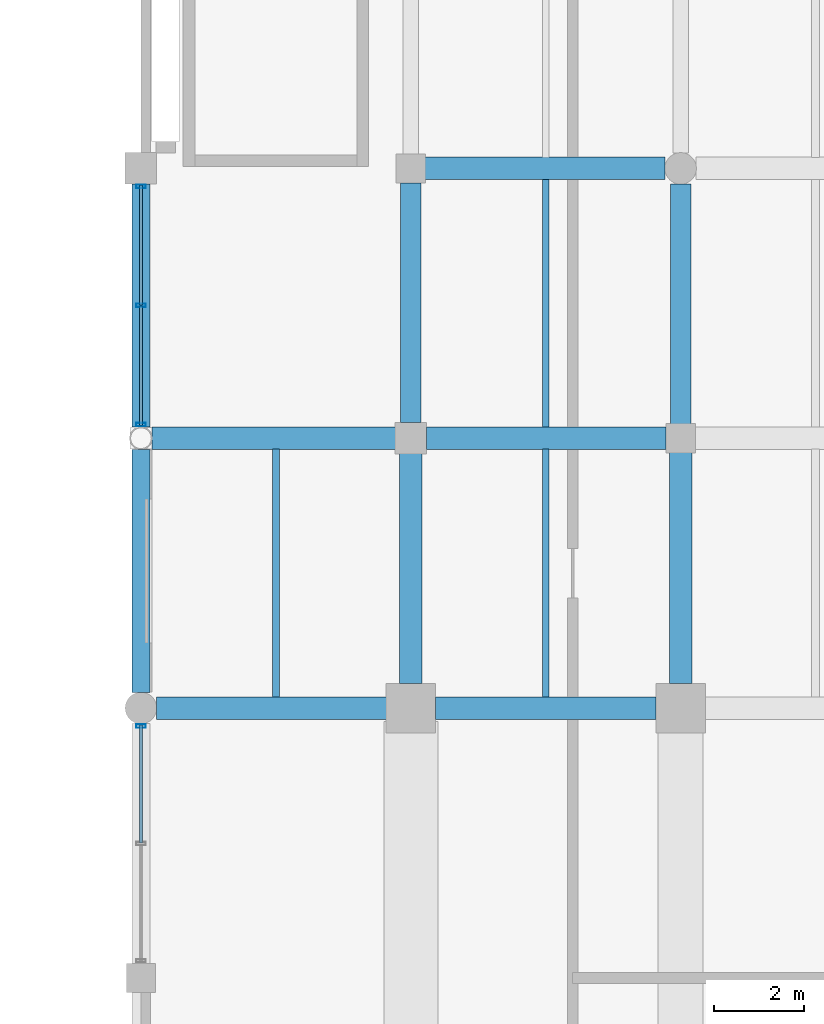
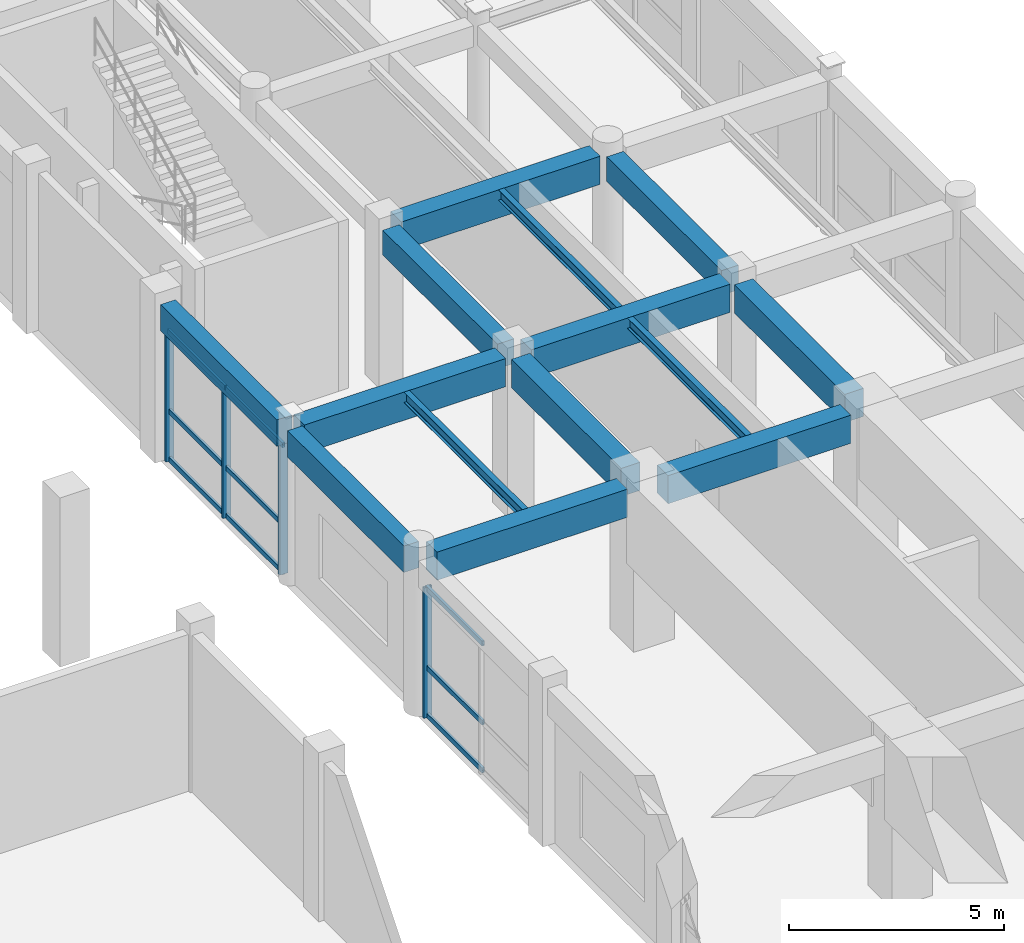
# One storey, part 73 of 123: 14 beams, 13 members, 2 elements without a shape of their own.
"""IFC4 building model written with IfcOpenShell, lengths in metres."""

from ifc_helpers import new_model, si_unit, direction, frame, origin, origin_2d, place, context, subcontext, project, spatial, rectangle, hollow_rectangle, i_section, extrude, material, material_profile, profile_set, type_object, element, aggregate, save


model = new_model("IFC4")

# Units and contexts
model_context = context("Model", 3, precision=1e-05, world=origin(), true_north=direction((0.0, 1.0)))
body_context = subcontext(model_context, "Body", "Model", "MODEL_VIEW")
ifc_project = project(units=[si_unit("LENGTHUNIT", "METRE"), si_unit("AREAUNIT", "SQUARE_METRE"), si_unit("VOLUMEUNIT", "CUBIC_METRE"), si_unit("PLANEANGLEUNIT", "RADIAN"), si_unit("MASSUNIT", "GRAM", prefix="KILO"), si_unit("THERMODYNAMICTEMPERATUREUNIT", "KELVIN"), si_unit("POWERUNIT", "WATT")], contexts=[model_context])

# Site, building, storey
site_placement = place(None, origin())
site = spatial("IfcSite", under=ifc_project, at=site_placement, CompositionType="ELEMENT")
building_placement = place(site_placement, origin())
building = spatial("IfcBuilding", under=site, at=building_placement, Name="Phaisarnlok Congress Hotel", CompositionType="ELEMENT")
storey_placement = place(building_placement, frame((0.0, 0.0, 15.0)))
storey = spatial("IfcBuildingStorey", under=building, at=storey_placement, Name="L03", CompositionType="ELEMENT", Elevation=15.0)

# Beams
ifc_material_1 = material(Name="Concrete C40/50", Category="concrete")
ifc_material_profile_1 = material_profile(ifc_material_1, rectangle(XDim=0.449951171875, YDim=0.699951171875, at=origin_2d()), Name="RC 450x700")
ifc_profile_set_1 = profile_set([ifc_material_profile_1], Name="Concrete C40/50")
beam_type_1 = type_object("IfcBeamType", Name="BM-RC-450x700", PredefinedType="BEAM", material=ifc_profile_set_1)
for number, where, z_axis, x_axis, name in (
    (1, (168.0, 72.344970703125, 4.10009765625), (0.0, 1.0, 0.0), (-1.0, 0.0, 0.0), "Beam B-03"),
    (2, (174.0, 72.320068359375, 4.10009765625), (0.0, 1.0, 0.0), (-1.0, 0.0, 0.0), "Beam B-03"),
):
    element("IfcBeam", number, at=place(storey_placement, frame(where, z_axis=z_axis, x_axis=x_axis)), inside=storey, type_object=beam_type_1, Name=name, PredefinedType="BEAM", context=body_context, shape_type="SweptSolid", body=[
        extrude(rectangle(XDim=0.449951171875, YDim=0.699951171875, at=origin_2d()), origin(), (0.0, 0.0, 1.0), 5.3349609375),
    ])
ifc_material_profile_2 = material_profile(ifc_material_1, rectangle(XDim=0.5, YDim=0.800048828125, at=origin_2d()), Name="RC 500x800")
ifc_profile_set_2 = profile_set([ifc_material_profile_2], Name="Concrete C40/50")
beam_type_2 = type_object("IfcBeamType", Name="BM-RC-500x800", PredefinedType="BEAM", material=ifc_profile_set_2)
beam_1_placement = place(storey_placement, frame((162.344970703125, 66.0, 4.050048828125), z_axis=(1.0, 0.0, 0.0), x_axis=(0.0, 1.0, 0.0)))
element("IfcBeam", 3, at=beam_1_placement, inside=storey, type_object=beam_type_2, Name="Beam B-04", PredefinedType="BEAM", context=body_context, shape_type="SweptSolid", body=[
    extrude(rectangle(XDim=0.5, YDim=0.800048828125, at=origin_2d()), origin(), (0.0, 0.0, 1.0), 5.110107421875),
])
beam_2_placement = place(storey_placement, frame((162.2490234375, 72.0, 4.050048828125), z_axis=(1.0, 0.0, 0.0), x_axis=(0.0, 1.0, 0.0)))
element("IfcBeam", 4, at=beam_2_placement, inside=storey, type_object=beam_type_2, Name="Beam B-04", PredefinedType="BEAM", context=body_context, shape_type="SweptSolid", body=[
    extrude(rectangle(XDim=0.5, YDim=0.800048828125, at=origin_2d()), origin(), (0.0, 0.0, 1.0), 5.406005859375),
])
beam_3_placement = place(storey_placement, frame((168.544921875, 66.0, 4.050048828125), z_axis=(1.0, 0.0, 0.0), x_axis=(0.0, 1.0, 0.0)))
element("IfcBeam", 5, at=beam_3_placement, inside=storey, type_object=beam_type_2, Name="Beam B-04", PredefinedType="BEAM", context=body_context, shape_type="SweptSolid", body=[
    extrude(rectangle(XDim=0.5, YDim=0.800048828125, at=origin_2d()), origin(), (0.0, 0.0, 1.0), 4.91015625),
])
beam_4_placement = place(storey_placement, frame((168.0, 66.544921875, 4.050048828125), z_axis=(0.0, 1.0, 0.0), x_axis=(-1.0, 0.0, 0.0)))
element("IfcBeam", 6, at=beam_4_placement, inside=storey, type_object=beam_type_2, Name="Beam B-04", PredefinedType="BEAM", context=body_context, shape_type="SweptSolid", body=[
    extrude(rectangle(XDim=0.5, YDim=0.800048828125, at=origin_2d()), origin(), (0.0, 0.0, 1.0), 5.110107421875),
])
for number, where, z_axis, x_axis, name in (
    (7, (168.344970703125, 72.0, 4.050048828125), (1.0, 0.0, 0.0), (0.0, 1.0, 0.0), "Beam B-04"),
    (8, (168.320068359375, 78.0, 4.050048828125), (1.0, 0.0, 0.0), (0.0, 1.0, 0.0), "Beam B-04"),
):
    element("IfcBeam", number, at=place(storey_placement, frame(where, z_axis=z_axis, x_axis=x_axis)), inside=storey, type_object=beam_type_2, Name=name, PredefinedType="BEAM", context=body_context, shape_type="SweptSolid", body=[
        extrude(rectangle(XDim=0.5, YDim=0.800048828125, at=origin_2d()), origin(), (0.0, 0.0, 1.0), 5.3349609375),
    ])
beam_5_placement = place(storey_placement, frame((174.0, 66.544921875, 4.050048828125), z_axis=(0.0, 1.0, 0.0), x_axis=(-1.0, 0.0, 0.0)))
element("IfcBeam", 9, at=beam_5_placement, inside=storey, type_object=beam_type_2, Name="Beam B-04", PredefinedType="BEAM", context=body_context, shape_type="SweptSolid", body=[
    extrude(rectangle(XDim=0.5, YDim=0.800048828125, at=origin_2d()), origin(), (0.0, 0.0, 1.0), 5.135009765625),
])

# Curtain wall, members
ifc_material_2 = material(Name="Thermally Broken Unitised Aluminium & Low-E Glazing", Category="aluminium")
curtain_wall_type_1 = type_object("IfcCurtainWallType", Name="CW-UNIT-31", PredefinedType="NOTDEFINED", material=ifc_material_2)
curtain_wall_1_placement = place(storey_placement, origin())
curtain_wall_1 = element("IfcCurtainWall", 10, at=curtain_wall_1_placement, inside=storey, type_object=curtain_wall_type_1, Name="Unitised curtain wall CW-31 (L03)", PredefinedType="NOTDEFINED")
ifc_material_3 = material(Name="Anodised Aluminium Alloy 6063-T6", Category="aluminium")
ifc_material_profile_3 = material_profile(ifc_material_3, hollow_rectangle(XDim=0.074951171875, YDim=0.219970703125, WallThickness=0.0048828125, at=origin_2d()), Name="ALU-M 75x220x5")
ifc_profile_set_3 = profile_set([ifc_material_profile_3], Name="Anodised Aluminium Alloy 6063-T6")
member_type_1 = type_object("IfcMemberType", Name="CWM-220", PredefinedType="MULLION", material=ifc_profile_set_3)
member_1_placement = place(storey_placement, frame((162.0, 77.60009765625, 0.0), z_axis=(0.0, 0.0, 1.0), x_axis=(0.0, -1.0, 0.0)))
member_1 = element("IfcMember", 11, at=member_1_placement, type_object=member_type_1, Name="Curtain wall mullion CWM-02", PredefinedType="MULLION", context=body_context, shape_type="SweptSolid", body=[
    extrude(hollow_rectangle(XDim=0.074951171875, YDim=0.219970703125, WallThickness=0.0048828125, at=origin_2d()), origin(), (0.0, 0.0, 1.0), 3.699951171875),
])
member_2_placement = place(storey_placement, frame((162.0, 74.951904296875, 0.0), z_axis=(0.0, 0.0, 1.0), x_axis=(0.0, -1.0, 0.0)))
member_2 = element("IfcMember", 12, at=member_2_placement, type_object=member_type_1, Name="Curtain wall mullion CWM-02", PredefinedType="MULLION", context=body_context, shape_type="SweptSolid", body=[
    extrude(hollow_rectangle(XDim=0.074951171875, YDim=0.219970703125, WallThickness=0.0048828125, at=origin_2d()), origin(), (0.0, 0.0, 1.0), 3.699951171875),
])
member_3_placement = place(storey_placement, frame((162.0, 72.303955078125, 0.0), z_axis=(0.0, 0.0, 1.0), x_axis=(0.0, -1.0, 0.0)))
member_3 = element("IfcMember", 13, at=member_3_placement, type_object=member_type_1, Name="Curtain wall mullion CWM-02", PredefinedType="MULLION", context=body_context, shape_type="SweptSolid", body=[
    extrude(hollow_rectangle(XDim=0.074951171875, YDim=0.219970703125, WallThickness=0.0048828125, at=origin_2d()), origin(), (0.0, 0.0, 1.0), 3.699951171875),
])

# Curtain wall, member
curtain_wall_type_2 = type_object("IfcCurtainWallType", Name="CW-UNIT-30", PredefinedType="NOTDEFINED", material=ifc_material_2)
curtain_wall_2_placement = place(storey_placement, origin())
curtain_wall_2 = element("IfcCurtainWall", 14, at=curtain_wall_2_placement, inside=storey, type_object=curtain_wall_type_2, Name="Unitised curtain wall CW-30 (L03)", PredefinedType="NOTDEFINED")
member_4_placement = place(storey_placement, frame((162.0, 65.60009765625, 0.0), z_axis=(0.0, 0.0, 1.0), x_axis=(0.0, -1.0, 0.0)))
member_4 = element("IfcMember", 15, at=member_4_placement, type_object=member_type_1, Name="Curtain wall mullion CWM-02", PredefinedType="MULLION", context=body_context, shape_type="SweptSolid", body=[
    extrude(hollow_rectangle(XDim=0.074951171875, YDim=0.219970703125, WallThickness=0.0048828125, at=origin_2d()), origin(), (0.0, 0.0, 1.0), 3.699951171875),
])

# Member
ifc_material_profile_4 = material_profile(ifc_material_3, hollow_rectangle(XDim=0.06494140625, YDim=0.139892578125, WallThickness=0.00390625, at=origin_2d()), Name="ALU-T 65x140x4")
ifc_profile_set_4 = profile_set([ifc_material_profile_4], Name="Anodised Aluminium Alloy 6063-T6")
member_type_2 = type_object("IfcMemberType", Name="CWT-150", PredefinedType="USERDEFINED", material=ifc_profile_set_4)
member_5_placement = place(storey_placement, frame((162.0, 77.625, 0.050048828125), z_axis=(0.0, -1.0, 0.0), x_axis=(1.0, 0.0, 0.0)))
member_5 = element("IfcMember", 16, at=member_5_placement, type_object=member_type_2, Name="Curtain wall transom CWT-01", ObjectType="TRANSOM", PredefinedType="USERDEFINED", context=body_context, shape_type="SweptSolid", body=[
    extrude(hollow_rectangle(XDim=0.06494140625, YDim=0.139892578125, WallThickness=0.00390625, at=origin_2d()), origin(), (0.0, 0.0, 1.0), 2.657958984375),
])

member_6_placement = place(storey_placement, frame((162.0, 77.625, 1.406005859375), z_axis=(0.0, -1.0, 0.0), x_axis=(1.0, 0.0, 0.0)))
member_6 = element("IfcMember", 17, at=member_6_placement, type_object=member_type_2, Name="Curtain wall transom CWT-01", ObjectType="TRANSOM", PredefinedType="USERDEFINED", context=body_context, shape_type="SweptSolid", body=[
    extrude(hollow_rectangle(XDim=0.06494140625, YDim=0.139892578125, WallThickness=0.00390625, at=origin_2d()), origin(), (0.0, 0.0, 1.0), 2.657958984375),
])

member_7_placement = place(storey_placement, frame((162.0, 77.625, 3.64990234375), z_axis=(0.0, -1.0, 0.0), x_axis=(1.0, 0.0, 0.0)))
member_7 = element("IfcMember", 18, at=member_7_placement, type_object=member_type_2, Name="Curtain wall transom CWT-01", ObjectType="TRANSOM", PredefinedType="USERDEFINED", context=body_context, shape_type="SweptSolid", body=[
    extrude(hollow_rectangle(XDim=0.06494140625, YDim=0.139892578125, WallThickness=0.00390625, at=origin_2d()), origin(), (0.0, 0.0, 1.0), 2.657958984375),
])

member_8_placement = place(storey_placement, frame((162.0, 74.93701171875, 0.050048828125), z_axis=(0.0, -1.0, 0.0), x_axis=(1.0, 0.0, 0.0)))
member_8 = element("IfcMember", 19, at=member_8_placement, type_object=member_type_2, Name="Curtain wall transom CWT-01", ObjectType="TRANSOM", PredefinedType="USERDEFINED", context=body_context, shape_type="SweptSolid", body=[
    extrude(hollow_rectangle(XDim=0.06494140625, YDim=0.139892578125, WallThickness=0.00390625, at=origin_2d()), origin(), (0.0, 0.0, 1.0), 2.657958984375),
])

member_9_placement = place(storey_placement, frame((162.0, 74.93701171875, 1.406005859375), z_axis=(0.0, -1.0, 0.0), x_axis=(1.0, 0.0, 0.0)))
member_9 = element("IfcMember", 20, at=member_9_placement, type_object=member_type_2, Name="Curtain wall transom CWT-01", ObjectType="TRANSOM", PredefinedType="USERDEFINED", context=body_context, shape_type="SweptSolid", body=[
    extrude(hollow_rectangle(XDim=0.06494140625, YDim=0.139892578125, WallThickness=0.00390625, at=origin_2d()), origin(), (0.0, 0.0, 1.0), 2.657958984375),
])

member_10_placement = place(storey_placement, frame((162.0, 74.93701171875, 3.64990234375), z_axis=(0.0, -1.0, 0.0), x_axis=(1.0, 0.0, 0.0)))
member_10 = element("IfcMember", 21, at=member_10_placement, type_object=member_type_2, Name="Curtain wall transom CWT-01", ObjectType="TRANSOM", PredefinedType="USERDEFINED", context=body_context, shape_type="SweptSolid", body=[
    extrude(hollow_rectangle(XDim=0.06494140625, YDim=0.139892578125, WallThickness=0.00390625, at=origin_2d()), origin(), (0.0, 0.0, 1.0), 2.657958984375),
])

aggregate(curtain_wall_1, [member_1, member_2, member_3, member_5, member_6, member_7, member_8, member_9, member_10])

member_11_placement = place(storey_placement, frame((162.0, 65.625, 0.050048828125), z_axis=(0.0, -1.0, 0.0), x_axis=(1.0, 0.0, 0.0)))
member_11 = element("IfcMember", 22, at=member_11_placement, type_object=member_type_2, Name="Curtain wall transom CWT-01", ObjectType="TRANSOM", PredefinedType="USERDEFINED", context=body_context, shape_type="SweptSolid", body=[
    extrude(hollow_rectangle(XDim=0.06494140625, YDim=0.139892578125, WallThickness=0.00390625, at=origin_2d()), origin(), (0.0, 0.0, 1.0), 2.62255859375),
])

member_12_placement = place(storey_placement, frame((162.0, 65.625, 1.406005859375), z_axis=(0.0, -1.0, 0.0), x_axis=(1.0, 0.0, 0.0)))
member_12 = element("IfcMember", 23, at=member_12_placement, type_object=member_type_2, Name="Curtain wall transom CWT-01", ObjectType="TRANSOM", PredefinedType="USERDEFINED", context=body_context, shape_type="SweptSolid", body=[
    extrude(hollow_rectangle(XDim=0.06494140625, YDim=0.139892578125, WallThickness=0.00390625, at=origin_2d()), origin(), (0.0, 0.0, 1.0), 2.62255859375),
])

member_13_placement = place(storey_placement, frame((162.0, 65.625, 3.64990234375), z_axis=(0.0, -1.0, 0.0), x_axis=(1.0, 0.0, 0.0)))
member_13 = element("IfcMember", 24, at=member_13_placement, type_object=member_type_2, Name="Curtain wall transom CWT-01", ObjectType="TRANSOM", PredefinedType="USERDEFINED", context=body_context, shape_type="SweptSolid", body=[
    extrude(hollow_rectangle(XDim=0.06494140625, YDim=0.139892578125, WallThickness=0.00390625, at=origin_2d()), origin(), (0.0, 0.0, 1.0), 2.62255859375),
])

aggregate(curtain_wall_2, [member_4, member_11, member_12, member_13])

# Beams
ifc_material_4 = material(Name="Steel S355", Category="steel")
ifc_material_profile_5 = material_profile(ifc_material_4, i_section(OverallWidth=0.14990234375, OverallDepth=0.300048828125, WebThickness=0.007080078125, FlangeThickness=0.0107421875, FilletRadius=0.014892578125, at=origin_2d()), Name="IPE 300")
ifc_profile_set_5 = profile_set([ifc_material_profile_5], Name="Steel S355")
beam_type_3 = type_object("IfcBeamType", Name="JS-STL-IPE300", PredefinedType="JOIST", material=ifc_profile_set_5)
for number, where, z_axis, x_axis, name in (
    (25, (165.0, 66.2451171875, 4.300048828125), (0.0, 1.0, 0.0), (-1.0, 0.0, 0.0), "Secondary floor joist J-03"),
    (26, (171.0, 66.2451171875, 4.300048828125), (0.0, 1.0, 0.0), (-1.0, 0.0, 0.0), "Secondary floor joist J-03"),
    (27, (171.0, 72.2451171875, 4.300048828125), (0.0, 1.0, 0.0), (-1.0, 0.0, 0.0), "Secondary floor joist J-03"),
):
    element("IfcBeam", number, at=place(storey_placement, frame(where, z_axis=z_axis, x_axis=x_axis)), inside=storey, type_object=beam_type_3, Name=name, PredefinedType="JOIST", context=body_context, shape_type="SweptSolid", body=[
        extrude(i_section(OverallWidth=0.14990234375, OverallDepth=0.300048828125, WebThickness=0.007080078125, FlangeThickness=0.0107421875, FilletRadius=0.014892578125, at=origin_2d()), origin(), (0.0, 0.0, 1.0), 5.509765625),
    ])
ifc_material_profile_6 = material_profile(ifc_material_1, rectangle(XDim=0.39990234375, YDim=0.75, at=origin_2d()), Name="RC 400x750")
ifc_profile_set_6 = profile_set([ifc_material_profile_6], Name="Concrete C40/50")
beam_type_4 = type_object("IfcBeamType", Name="SP-RC-400x750", PredefinedType="SPANDREL", material=ifc_profile_set_6)
for number, where, z_axis, x_axis, name in (
    (28, (162.0, 66.344970703125, 4.074951171875), (0.0, 1.0, 0.0), (-1.0, 0.0, 0.0), "Beam SP-02"),
    (29, (162.0, 72.2490234375, 4.074951171875), (0.0, 1.0, 0.0), (-1.0, 0.0, 0.0), "Beam SP-02"),
):
    element("IfcBeam", number, at=place(storey_placement, frame(where, z_axis=z_axis, x_axis=x_axis)), inside=storey, type_object=beam_type_4, Name=name, PredefinedType="SPANDREL", context=body_context, shape_type="SweptSolid", body=[
        extrude(rectangle(XDim=0.39990234375, YDim=0.75, at=origin_2d()), origin(), (0.0, 0.0, 1.0), 5.406005859375),
    ])

save(model, "model.ifc")
